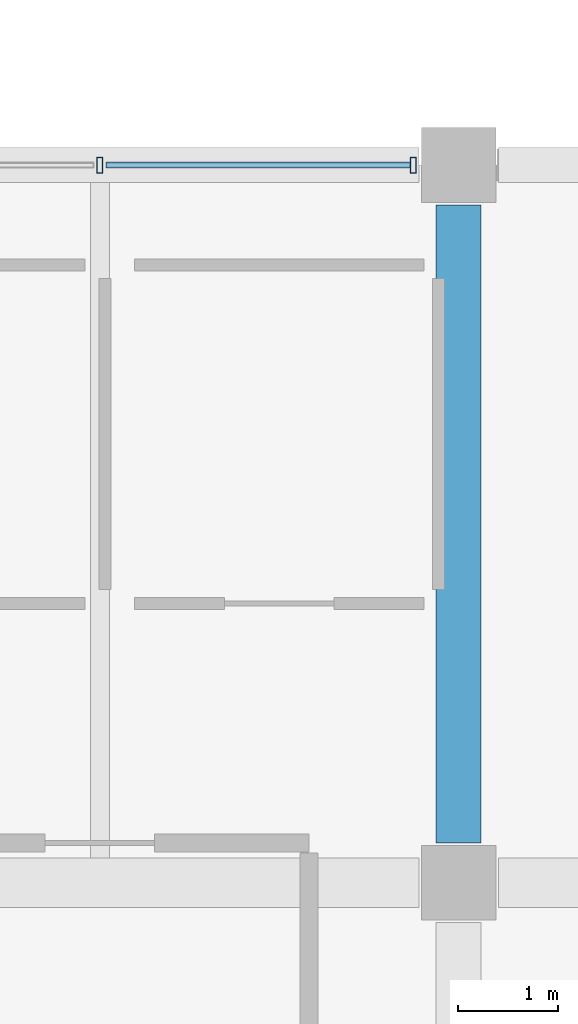
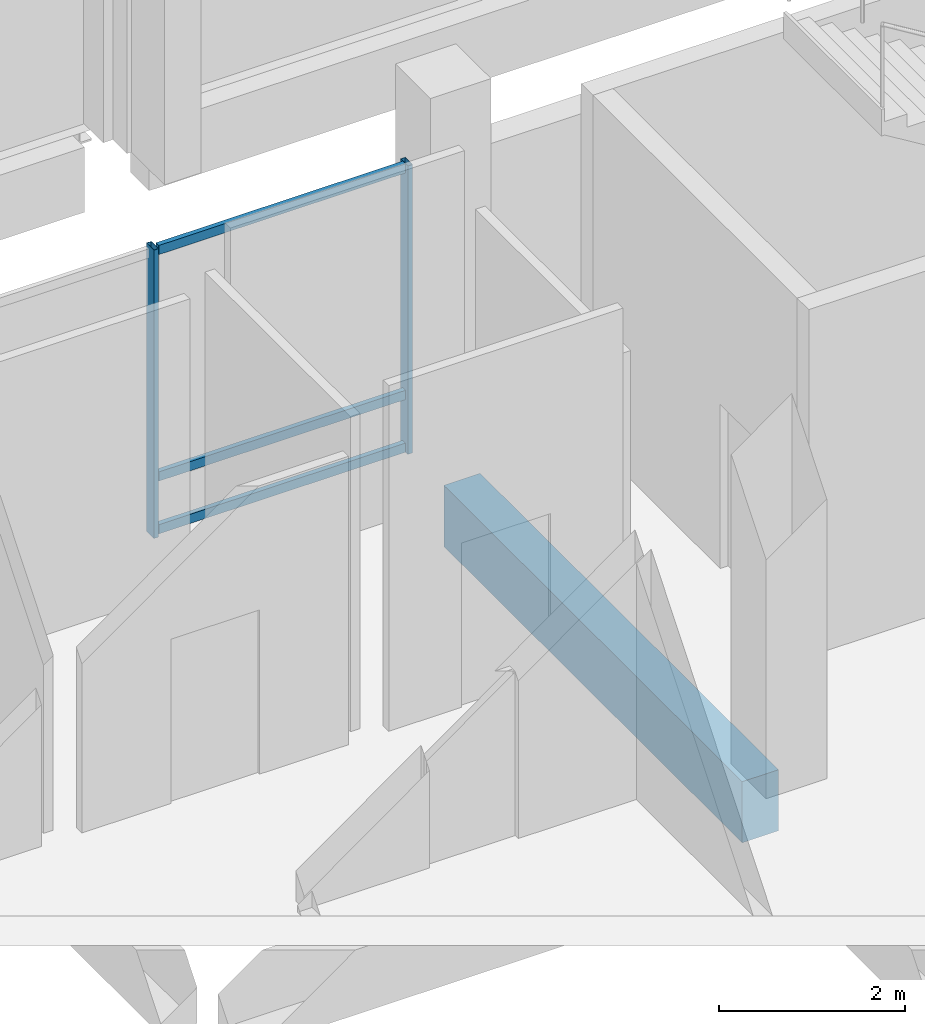
# One storey, part 77 of 193: 5 members, 1 beam, 1 element without a shape of its own.
"""IFC4 building model written with IfcOpenShell, lengths in metres."""

from ifc_helpers import new_model, si_unit, direction, frame, origin, origin_2d, place, context, subcontext, project, spatial, rectangle, hollow_rectangle, extrude, material, material_profile, profile_set, type_object, element, aggregate, save


model = new_model("IFC4")

# Units and contexts
model_context = context("Model", 3, precision=1e-05, world=origin(), true_north=direction((0.0, 1.0)))
body_context = subcontext(model_context, "Body", "Model", "MODEL_VIEW")
ifc_project = project(units=[si_unit("LENGTHUNIT", "METRE"), si_unit("AREAUNIT", "SQUARE_METRE"), si_unit("VOLUMEUNIT", "CUBIC_METRE"), si_unit("PLANEANGLEUNIT", "RADIAN"), si_unit("MASSUNIT", "GRAM", prefix="KILO")], contexts=[model_context])

# Site, building, storey
site_placement = place(None, origin())
site = spatial("IfcSite", under=ifc_project, at=site_placement, CompositionType="ELEMENT")
building_placement = place(site_placement, origin())
building = spatial("IfcBuilding", under=site, at=building_placement, Name="Cendralis Lancet Convention Centre", CompositionType="ELEMENT")
storey_placement = place(building_placement, frame((0.0, 0.0, 10.199951171875)))
storey = spatial("IfcBuildingStorey", under=building, at=storey_placement, Name="L02", CompositionType="ELEMENT", Elevation=10.199951171875)

# Curtain wall, members
ifc_material_1 = material(Name="Anodised bronze architectural aluminium", Category="aluminium")
curtain_wall_type = type_object("IfcCurtainWallType", Name="ARC-CW-CL02", PredefinedType="USERDEFINED", material=ifc_material_1)
curtain_wall_placement = place(storey_placement, origin())
curtain_wall = element("IfcCurtainWall", 1, at=curtain_wall_placement, inside=storey, type_object=curtain_wall_type, Name="L02 Curtain Wall CW-CL2 #187", ObjectType="CURTAIN WALL", PredefinedType="USERDEFINED")
ifc_material_profile_1 = material_profile(ifc_material_1, hollow_rectangle(XDim=0.06005859375, YDim=0.159912109375, WallThickness=0.00390625, at=origin_2d()), Name="AL-MULL 60x160x4.0")
ifc_profile_set_1 = profile_set([ifc_material_profile_1], Name="Anodised bronze architectural aluminium")
member_type_1 = type_object("IfcMemberType", Name="ARC-CW-ML01", PredefinedType="MULLION", material=ifc_profile_set_1)
member_1_placement = place(storey_placement, frame((193.199951171875, 36.0, 0.0), z_axis=(0.0, 0.0, 1.0), x_axis=(1.0, 0.0, 0.0)))
member_1 = element("IfcMember", 2, at=member_1_placement, type_object=member_type_1, Name="Mullion CW2-CW-CL2-L02-187-M1", PredefinedType="MULLION", context=body_context, shape_type="SweptSolid", body=[
    extrude(hollow_rectangle(XDim=0.06005859375, YDim=0.159912109375, WallThickness=0.00390625, at=origin_2d()), origin(), (0.0, 0.0, 1.0), 3.775146484375),
])
member_2_placement = place(storey_placement, frame((196.344970703125, 36.0, 0.0), z_axis=(0.0, 0.0, 1.0), x_axis=(1.0, 0.0, 0.0)))
member_2 = element("IfcMember", 3, at=member_2_placement, type_object=member_type_1, Name="Mullion CW2-CW-CL2-L02-187-M2", PredefinedType="MULLION", context=body_context, shape_type="SweptSolid", body=[
    extrude(hollow_rectangle(XDim=0.06005859375, YDim=0.159912109375, WallThickness=0.00390625, at=origin_2d()), origin(), (0.0, 0.0, 1.0), 3.775146484375),
])
ifc_material_profile_2 = material_profile(ifc_material_1, hollow_rectangle(XDim=0.06005859375, YDim=0.1201171875, WallThickness=0.00390625, at=origin_2d()), Name="AL-TRAN 60x120x4.0")
ifc_profile_set_2 = profile_set([ifc_material_profile_2], Name="Anodised bronze architectural aluminium")
member_type_2 = type_object("IfcMemberType", Name="ARC-CW-TR01", PredefinedType="USERDEFINED", material=ifc_profile_set_2)
member_3_placement = place(storey_placement, frame((193.260009765625, 36.0, 0.06005859375), z_axis=(1.0, 0.0, 0.0), x_axis=(0.0, 1.0, 0.0)))
member_3 = element("IfcMember", 4, at=member_3_placement, type_object=member_type_2, Name="Transom CW2-CW-CL2-L02-187-T1BOT", ObjectType="TRANSOM", PredefinedType="USERDEFINED", context=body_context, shape_type="SweptSolid", body=[
    extrude(hollow_rectangle(XDim=0.06005859375, YDim=0.1201171875, WallThickness=0.00390625, at=origin_2d()), origin(), (0.0, 0.0, 1.0), 3.054931640625),
])
member_4_placement = place(storey_placement, frame((193.260009765625, 36.0, 0.75), z_axis=(1.0, 0.0, 0.0), x_axis=(0.0, 1.0, 0.0)))
member_4 = element("IfcMember", 5, at=member_4_placement, type_object=member_type_2, Name="Transom CW2-CW-CL2-L02-187-T1MID", ObjectType="TRANSOM", PredefinedType="USERDEFINED", context=body_context, shape_type="SweptSolid", body=[
    extrude(hollow_rectangle(XDim=0.06005859375, YDim=0.1201171875, WallThickness=0.00390625, at=origin_2d()), origin(), (0.0, 0.0, 1.0), 3.054931640625),
])
member_5_placement = place(storey_placement, frame((193.260009765625, 36.0, 3.715087890625), z_axis=(1.0, 0.0, 0.0), x_axis=(0.0, 1.0, 0.0)))
member_5 = element("IfcMember", 6, at=member_5_placement, type_object=member_type_2, Name="Transom CW2-CW-CL2-L02-187-T1TOP", ObjectType="TRANSOM", PredefinedType="USERDEFINED", context=body_context, shape_type="SweptSolid", body=[
    extrude(hollow_rectangle(XDim=0.06005859375, YDim=0.1201171875, WallThickness=0.00390625, at=origin_2d()), origin(), (0.0, 0.0, 1.0), 3.054931640625),
])
aggregate(curtain_wall, [member_1, member_2, member_3, member_4, member_5])

# Beam
ifc_material_2 = material(Name="Concrete G35 (C35/45)", Category="concrete")
ifc_material_profile_3 = material_profile(ifc_material_2, rectangle(XDim=0.449951171875, YDim=0.800048828125, at=origin_2d()), Name="RCB 450x800")
ifc_profile_set_3 = profile_set([ifc_material_profile_3], Name="Concrete G35 (C35/45)")
beam_type = type_object("IfcBeamType", Name="STR-BM-BG10", PredefinedType="BEAM", material=ifc_profile_set_3)
beam_placement = place(storey_placement, frame((196.800048828125, 29.199951171875, -0.699951171875), z_axis=(0.0, 1.0, 0.0), x_axis=(-1.0, 0.0, 0.0)))
element("IfcBeam", 7, at=beam_placement, inside=storey, type_object=beam_type, Name="L02 Beam BG10 #0340", PredefinedType="BEAM", context=body_context, shape_type="SweptSolid", body=[
    extrude(rectangle(XDim=0.449951171875, YDim=0.800048828125, at=origin_2d()), origin(), (0.0, 0.0, 1.0), 6.400146484375),
])

save(model, "model.ifc")
